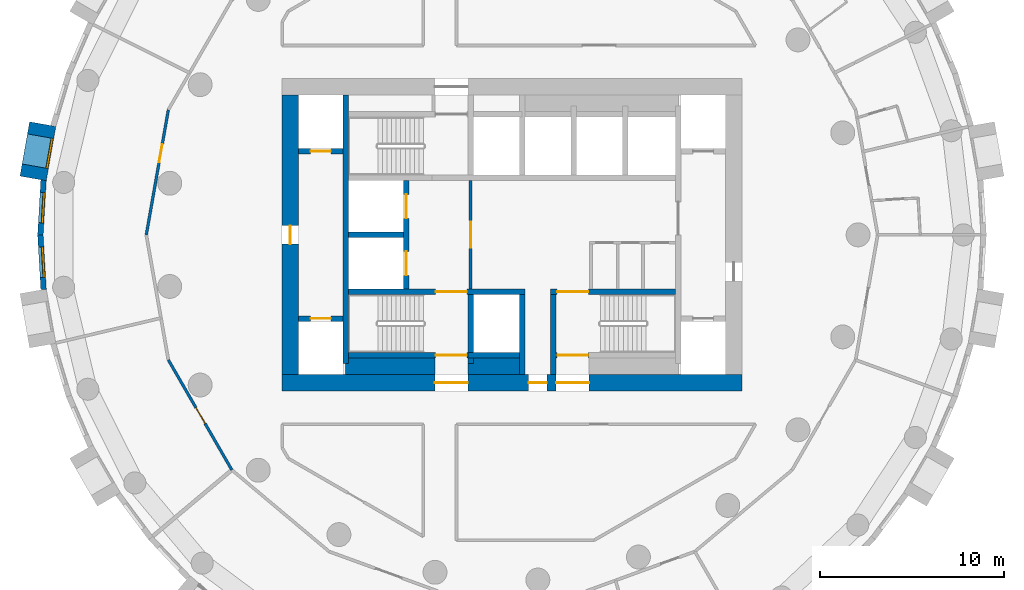
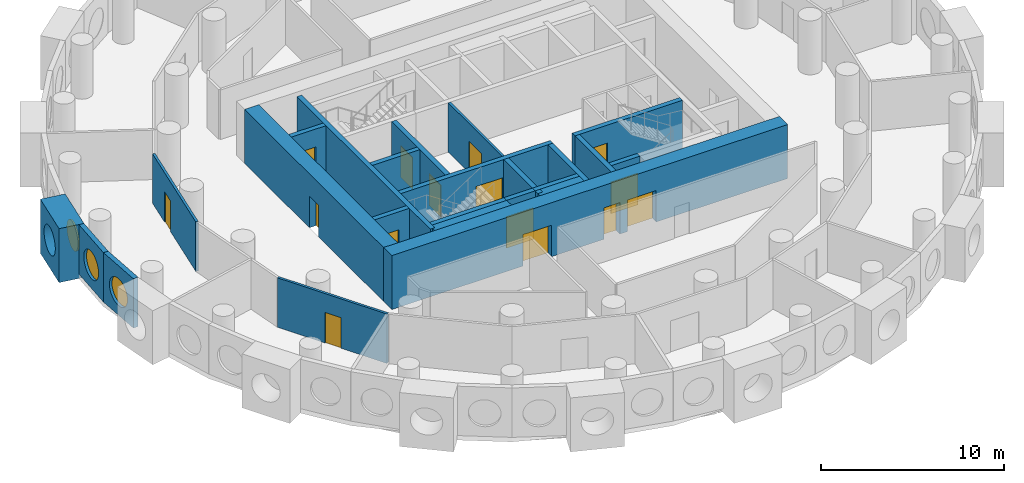
# One storey, part 3 of 9: 24 walls, 15 doors, 3 windows, 18 openings.
"""IFC4 building model written with IfcOpenShell, lengths in metres."""

from ifc_helpers import new_model, si_unit, direction, frame, frame_2d, origin, origin_2d, place, context, subcontext, project, spatial, rectangle, circle, extrude, material, layer, layer_set, type_object, element, fill, save


model = new_model("IFC4")

# Units and contexts
model_context = context("Model", 3, precision=1e-05, world=origin(), true_north=direction((0.0, 1.0)))
body_context = subcontext(model_context, "Body", "Model", "MODEL_VIEW")
ifc_project = project(units=[si_unit("LENGTHUNIT", "METRE"), si_unit("AREAUNIT", "SQUARE_METRE"), si_unit("VOLUMEUNIT", "CUBIC_METRE"), si_unit("PLANEANGLEUNIT", "RADIAN"), si_unit("MASSUNIT", "GRAM", prefix="KILO")], contexts=[model_context])

# Site, building, storey
site_placement = place(None, origin())
site = spatial("IfcSite", under=ifc_project, at=site_placement, CompositionType="ELEMENT")
building_placement = place(site_placement, origin())
building = spatial("IfcBuilding", under=site, at=building_placement, Name="Tracery Tower", CompositionType="ELEMENT")
storey_placement = place(building_placement, frame((0.0, 0.0, 165.60009765625)))
storey = spatial("IfcBuildingStorey", under=building, at=storey_placement, Name="L42", CompositionType="ELEMENT", Elevation=165.60009765625)

# Wall, opening, door
ifc_material_1 = material(Name="Plasterboard on steel studs", Category="steel")
ifc_layer_1 = layer(ifc_material_1, 0.14990234375)
ifc_layer_set_1 = layer_set([ifc_layer_1], Name="Core lobby partition 150")
wall_type_1 = type_object("IfcWallType", Name="Core lobby partition 150", PredefinedType="SOLIDWALL", material=ifc_layer_set_1)
wall_1_placement = place(storey_placement, frame((-2.25, -2.949951171875, 0.0), z_axis=(0.0, 0.0, 1.0), x_axis=(0.0, 1.0, 0.0)))
wall_1 = element("IfcWall", 1, at=wall_1_placement, inside=storey, type_object=wall_type_1, Name="L42 FF lobby E", PredefinedType="SOLIDWALL", context=body_context, shape_type="SweptSolid", body=[
    extrude(rectangle(XDim=5.89990234375, YDim=0.14990234375, at=frame_2d((2.949951171875, 0.0))), origin(), (0.0, 0.0, 1.0), 3.2998046875),
])
opening_1_placement = place(wall_1_placement, frame((2.25, 0.0, 0.0)))
opening_1 = element("IfcOpeningElement", 2, at=opening_1_placement, cuts=wall_1, Name="Opening KD8", PredefinedType="OPENING", context=body_context, shape_type="SweptSolid", body=[
    extrude(rectangle(XDim=1.39990234375, YDim=2.10009765625, at=frame_2d((0.699951171875, 1.050048828125))), frame((0.0, 0.074951171875, 0.0), z_axis=(0.0, -1.0, 0.0), x_axis=(1.0, 0.0, 0.0)), (0.0, 0.0, 1.0), 0.14990234375),
])
ifc_material_2 = material(Name="Steel fire door", Category="steel")
door_type_1 = type_object("IfcDoorType", Name="Core lobby door 1400 double", OperationType="NOTDEFINED", PredefinedType="DOOR", material=ifc_material_2)
door_1_placement = place(opening_1_placement, origin())
door_1 = element("IfcDoor", 3, at=door_1_placement, inside=storey, type_object=door_type_1, Name="Fire-fighting lobby door", OperationType="DOUBLE_DOOR_SINGLE_SWING", OverallHeight=2.10009765625, OverallWidth=1.39990234375, PredefinedType="DOOR", context=body_context, shape_type="SweptSolid", body=[
    extrude(rectangle(XDim=1.39990234375, YDim=2.10009765625, at=frame_2d((0.699951171875, 1.050048828125))), frame((0.0, 0.02490234375, 0.0), z_axis=(0.0, -1.0, 0.0), x_axis=(1.0, 0.0, 0.0)), (0.0, 0.0, 1.0), 0.050048828125),
])
fill(opening_1, door_1)

# Walls
ifc_material_3 = material(Name="Concrete C50/60", Category="concrete")
ifc_layer_2 = layer(ifc_material_3, 0.89990234375)
ifc_layer_set_2 = layer_set([ifc_layer_2], Name="Core strip wall 900 C50")
wall_type_2 = type_object("IfcWallType", Name="Core strip wall 900 C50", PredefinedType="SOLIDWALL", material=ifc_layer_set_2)
wall_2_placement = place(storey_placement, frame((-9.050048828125, -7.14990234375, 0.0), z_axis=(0.0, 0.0, 1.0), x_axis=(1.0, 0.0, 0.0)))
element("IfcWall", 4, at=wall_2_placement, inside=storey, type_object=wall_type_2, Name="L42 F thick S W", PredefinedType="SOLIDWALL", context=body_context, shape_type="SweptSolid", body=[
    extrude(rectangle(XDim=4.85009765625, YDim=0.89990234375, at=frame_2d((2.425048828125, 0.0))), origin(), (0.0, 0.0, 1.0), 3.2998046875),
])
wall_3_placement = place(storey_placement, frame((-2.39990234375, -7.14990234375, 0.0), z_axis=(0.0, 0.0, 1.0), x_axis=(1.0, 0.0, 0.0)))
element("IfcWall", 5, at=wall_3_placement, inside=storey, type_object=wall_type_2, Name="L42 F thick S mid", PredefinedType="SOLIDWALL", context=body_context, shape_type="SweptSolid", body=[
    extrude(rectangle(XDim=2.7998046875, YDim=0.89990234375, at=frame_2d((1.39990234375, 0.0))), origin(), (0.0, 0.0, 1.0), 3.2998046875),
])

# Wall, openings, doors
ifc_material_4 = material(Name="Concrete C50/60", Category="concrete")
ifc_layer_3 = layer(ifc_material_4, 0.89990234375)
ifc_layer_set_3 = layer_set([ifc_layer_3], Name="Core wall 900 C50")
wall_type_3 = type_object("IfcWallType", Name="Core wall 900 C50", PredefinedType="SOLIDWALL", material=ifc_layer_set_3)
wall_4_placement = place(storey_placement, frame((-12.5, -8.050048828125, 0.0), z_axis=(0.0, 0.0, 1.0), x_axis=(1.0, 0.0, 0.0)))
wall_4 = element("IfcWall", 6, at=wall_4_placement, inside=storey, type_object=wall_type_3, Name="L42 outer S", PredefinedType="SOLIDWALL", context=body_context, shape_type="SweptSolid", body=[
    extrude(rectangle(XDim=25.0, YDim=0.89990234375, at=frame_2d((12.5, 0.0))), origin(), (0.0, 0.0, 1.0), 3.599853515625),
])
opening_2_placement = place(wall_4_placement, frame((13.39990234375, 0.0, 0.0)))
opening_2 = element("IfcOpeningElement", 7, at=opening_2_placement, cuts=wall_4, Name="Opening KD16", PredefinedType="OPENING", context=body_context, shape_type="SweptSolid", body=[
    extrude(rectangle(XDim=1.0, YDim=2.10009765625, at=frame_2d((0.5, 1.050048828125))), frame((0.0, 0.449951171875, 0.0), z_axis=(0.0, -1.0, 0.0), x_axis=(1.0, 0.0, 0.0)), (0.0, 0.0, 1.0), 0.89990234375),
])
opening_3_placement = place(wall_4_placement, frame((8.300048828125, 0.0, 0.0)))
opening_3 = element("IfcOpeningElement", 8, at=opening_3_placement, cuts=wall_4, Name="Opening KD13", PredefinedType="OPENING", context=body_context, shape_type="SweptSolid", body=[
    extrude(rectangle(XDim=1.800048828125, YDim=2.10009765625, at=frame_2d((0.89990234375, 1.050048828125))), frame((0.0, 0.449951171875, 0.0), z_axis=(0.0, -1.0, 0.0), x_axis=(1.0, 0.0, 0.0)), (0.0, 0.0, 1.0), 0.89990234375),
])
opening_4_placement = place(wall_4_placement, frame((14.89990234375, 0.0, 0.0)))
opening_4 = element("IfcOpeningElement", 9, at=opening_4_placement, cuts=wall_4, Name="Opening KD13", PredefinedType="OPENING", context=body_context, shape_type="SweptSolid", body=[
    extrude(rectangle(XDim=1.800048828125, YDim=2.10009765625, at=frame_2d((0.89990234375, 1.050048828125))), frame((0.0, 0.449951171875, 0.0), z_axis=(0.0, -1.0, 0.0), x_axis=(1.0, 0.0, 0.0)), (0.0, 0.0, 1.0), 0.89990234375),
])
ifc_material_5 = material(Name="Steel fire door", Category="steel")
door_type_2 = type_object("IfcDoorType", Name="Core exit door 1000", OperationType="NOTDEFINED", PredefinedType="DOOR", material=ifc_material_5)
door_2_placement = place(opening_2_placement, origin())
door_2 = element("IfcDoor", 10, at=door_2_placement, inside=storey, type_object=door_type_2, Name="Core exit door", OperationType="SINGLE_SWING_LEFT", OverallHeight=2.10009765625, OverallWidth=1.0, PredefinedType="DOOR", context=body_context, shape_type="SweptSolid", body=[
    extrude(rectangle(XDim=1.0, YDim=2.10009765625, at=frame_2d((0.5, 1.050048828125))), frame((0.0, 0.02490234375, 0.0), z_axis=(0.0, -1.0, 0.0), x_axis=(1.0, 0.0, 0.0)), (0.0, 0.0, 1.0), 0.050048828125),
])
fill(opening_2, door_2)
ifc_material_6 = material(Name="Steel fire door", Category="steel")
door_type_3 = type_object("IfcDoorType", Name="Core exit door 1800 double", OperationType="NOTDEFINED", PredefinedType="DOOR", material=ifc_material_6)
door_3_placement = place(opening_3_placement, origin())
door_3 = element("IfcDoor", 11, at=door_3_placement, inside=storey, type_object=door_type_3, Name="Core exit door", OperationType="DOUBLE_DOOR_SINGLE_SWING", OverallHeight=2.10009765625, OverallWidth=1.800048828125, PredefinedType="DOOR", context=body_context, shape_type="SweptSolid", body=[
    extrude(rectangle(XDim=1.800048828125, YDim=2.10009765625, at=frame_2d((0.89990234375, 1.050048828125))), frame((0.0, 0.02490234375, 0.0), z_axis=(0.0, -1.0, 0.0), x_axis=(1.0, 0.0, 0.0)), (0.0, 0.0, 1.0), 0.050048828125),
])
fill(opening_3, door_3)
door_4_placement = place(opening_4_placement, origin())
door_4 = element("IfcDoor", 12, at=door_4_placement, inside=storey, type_object=door_type_3, Name="Core exit door", OperationType="DOUBLE_DOOR_SINGLE_SWING", OverallHeight=2.10009765625, OverallWidth=1.800048828125, PredefinedType="DOOR", context=body_context, shape_type="SweptSolid", body=[
    extrude(rectangle(XDim=1.800048828125, YDim=2.10009765625, at=frame_2d((0.89990234375, 1.050048828125))), frame((0.0, 0.02490234375, 0.0), z_axis=(0.0, -1.0, 0.0), x_axis=(1.0, 0.0, 0.0)), (0.0, 0.0, 1.0), 0.050048828125),
])
fill(opening_4, door_4)

# Wall, opening, door
wall_5_placement = place(storey_placement, frame((-12.050048828125, -7.60009765625, 0.0), z_axis=(0.0, 0.0, 1.0), x_axis=(0.0, 1.0, 0.0)))
wall_5 = element("IfcWall", 13, at=wall_5_placement, inside=storey, type_object=wall_type_3, Name="L42 outer W", PredefinedType="SOLIDWALL", context=body_context, shape_type="SweptSolid", body=[
    extrude(rectangle(XDim=15.2001953125, YDim=0.89990234375, at=frame_2d((7.60009765625, 0.0))), origin(), (0.0, 0.0, 1.0), 3.599853515625),
])
opening_5_placement = place(wall_5_placement, frame((7.10009765625, 0.0, 0.0)))
opening_5 = element("IfcOpeningElement", 14, at=opening_5_placement, cuts=wall_5, Name="Opening KD18", PredefinedType="OPENING", context=body_context, shape_type="SweptSolid", body=[
    extrude(rectangle(XDim=1.0, YDim=2.10009765625, at=frame_2d((0.5, 1.050048828125))), frame((0.0, 0.449951171875, 0.0), z_axis=(0.0, -1.0, 0.0), x_axis=(1.0, 0.0, 0.0)), (0.0, 0.0, 1.0), 0.89990234375),
])
door_5_placement = place(opening_5_placement, origin())
door_5 = element("IfcDoor", 15, at=door_5_placement, inside=storey, type_object=door_type_2, Name="Core exit door", OperationType="DOUBLE_DOOR_SINGLE_SWING", OverallHeight=2.10009765625, OverallWidth=1.0, PredefinedType="DOOR", context=body_context, shape_type="SweptSolid", body=[
    extrude(rectangle(XDim=1.0, YDim=2.10009765625, at=frame_2d((0.5, 1.050048828125))), frame((0.0, 0.02490234375, 0.0), z_axis=(0.0, -1.0, 0.0), x_axis=(1.0, 0.0, 0.0)), (0.0, 0.0, 1.0), 0.050048828125),
])
fill(opening_5, door_5)

# Wall, opening, window
ifc_material_7 = material(Name="Precast concrete C50/60", Category="concrete")
ifc_layer_4 = layer(ifc_material_7, 1.449951171875)
ifc_layer_set_4 = layer_set([ifc_layer_4], Name="Deep-set bay unit 3000 x 3600, slab edge 300")
wall_type_4 = type_object("IfcWallType", Name="Deep-set bay unit 3000 x 3600, slab edge 300", PredefinedType="ELEMENTEDWALL", material=ifc_layer_set_4)
wall_6_placement = place(storey_placement, frame((-25.520751953125, 6.023193359375, -0.300048828125), z_axis=(0.0, 0.0, 1.0), x_axis=(-0.173669267716, -0.984804034035, 0.0)))
wall_6 = element("IfcWall", 16, at=wall_6_placement, inside=storey, type_object=wall_type_4, Name="Deep-set bay unit 26 at L42", PredefinedType="ELEMENTEDWALL", context=body_context, shape_type="SweptSolid", body=[
    extrude(rectangle(XDim=3.0, YDim=1.449951171875, at=frame_2d((1.5, 0.0))), origin(), (0.0, 0.0, 1.0), 3.599853515625),
])
opening_6_placement = place(wall_6_placement, frame((1.5, 0.0, 1.85009765625)))
opening_6 = element("IfcOpeningElement", 17, at=opening_6_placement, cuts=wall_6, Name="Opening WN1", PredefinedType="OPENING", context=body_context, shape_type="SweptSolid", body=[
    extrude(circle(Radius=0.9000244140625, at=origin_2d()), frame((0.0, 0.73486328125, 0.0), z_axis=(0.0, -1.0, 0.0), x_axis=(1.0, 0.0, 0.0)), (0.0, 0.0, 1.0), 1.469970703125),
])
ifc_material_8 = material(Name="Aluminium frame with tinted double glazing", Category="aluminium")
window_type = type_object("IfcWindowType", Name="Round window 1800", PartitioningType="SINGLE_PANEL", PredefinedType="WINDOW", material=ifc_material_8)
window_1_placement = place(opening_6_placement, origin())
window_1 = element("IfcWindow", 18, at=window_1_placement, inside=storey, type_object=window_type, Name="Round window 26 at L42", OverallHeight=1.800048828125, OverallWidth=1.800048828125, PartitioningType="SINGLE_PANEL", PredefinedType="WINDOW", context=body_context, shape_type="SweptSolid", body=[
    extrude(circle(Radius=0.9000244140625, at=origin_2d()), frame((0.0, 0.69482421875, 0.0), z_axis=(0.0, -1.0, 0.0), x_axis=(1.0, 0.0, 0.0)), (0.0, 0.0, 1.0), 0.10009765625),
])
fill(opening_6, window_1)

ifc_material_9 = material(Name="Precast concrete C50/60", Category="concrete")
ifc_layer_5 = layer(ifc_material_9, 0.300048828125)
ifc_layer_set_5 = layer_set([ifc_layer_5], Name="Facade panel 3000 x 3300")
wall_type_5 = type_object("IfcWallType", Name="Facade panel 3000 x 3300", PredefinedType="SOLIDWALL", material=ifc_layer_set_5)
wall_7_placement = place(storey_placement, frame((-25.474609375, 2.9677734375, 0.0), z_axis=(0.0, 0.0, 1.0), x_axis=(-0.058144307138, -0.998308188661, 0.0)))
wall_7 = element("IfcWall", 19, at=wall_7_placement, inside=storey, type_object=wall_type_5, Name="Facade panel 27 at L42", PredefinedType="SOLIDWALL", context=body_context, shape_type="SweptSolid", body=[
    extrude(rectangle(XDim=2.972900390625, YDim=0.300048828125, at=frame_2d((1.486328125, 0.0))), origin(), (0.0, 0.0, 1.0), 3.2998046875),
])
opening_7_placement = place(wall_7_placement, frame((1.486328125, 0.0, 1.5498046875)))
opening_7 = element("IfcOpeningElement", 20, at=opening_7_placement, cuts=wall_7, Name="Opening WN1", PredefinedType="OPENING", context=body_context, shape_type="SweptSolid", body=[
    extrude(circle(Radius=0.9000244140625, at=origin_2d()), frame((0.0, 0.159912109375, 0.0), z_axis=(0.0, -1.0, 0.0), x_axis=(1.0, 0.0, 0.0)), (0.0, 0.0, 1.0), 0.320068359375),
])
window_2_placement = place(opening_7_placement, origin())
window_2 = element("IfcWindow", 21, at=window_2_placement, inside=storey, type_object=window_type, Name="Round window 27 at L42", OverallHeight=1.800048828125, OverallWidth=1.800048828125, PartitioningType="SINGLE_PANEL", PredefinedType="WINDOW", context=body_context, shape_type="SweptSolid", body=[
    extrude(circle(Radius=0.9000244140625, at=origin_2d()), frame((0.0, 0.1201171875, 0.0), z_axis=(0.0, -1.0, 0.0), x_axis=(1.0, 0.0, 0.0)), (0.0, 0.0, 1.0), 0.10009765625),
])
fill(opening_7, window_2)

wall_8_placement = place(storey_placement, frame((-25.6474609375, 0.0, 0.0), z_axis=(0.0, 0.0, 1.0), x_axis=(0.058144307138, -0.998308188661, 0.0)))
wall_8 = element("IfcWall", 22, at=wall_8_placement, inside=storey, type_object=wall_type_5, Name="Facade panel 28 at L42", PredefinedType="SOLIDWALL", context=body_context, shape_type="SweptSolid", body=[
    extrude(rectangle(XDim=2.972900390625, YDim=0.300048828125, at=frame_2d((1.486328125, 0.0))), origin(), (0.0, 0.0, 1.0), 3.2998046875),
])
opening_8_placement = place(wall_8_placement, frame((1.486328125, 0.0, 1.5498046875)))
opening_8 = element("IfcOpeningElement", 23, at=opening_8_placement, cuts=wall_8, Name="Opening WN1", PredefinedType="OPENING", context=body_context, shape_type="SweptSolid", body=[
    extrude(circle(Radius=0.9000244140625, at=origin_2d()), frame((0.0, 0.159912109375, 0.0), z_axis=(0.0, -1.0, 0.0), x_axis=(1.0, 0.0, 0.0)), (0.0, 0.0, 1.0), 0.320068359375),
])
window_3_placement = place(opening_8_placement, origin())
window_3 = element("IfcWindow", 24, at=window_3_placement, inside=storey, type_object=window_type, Name="Round window 28 at L42", OverallHeight=1.800048828125, OverallWidth=1.800048828125, PartitioningType="SINGLE_PANEL", PredefinedType="WINDOW", context=body_context, shape_type="SweptSolid", body=[
    extrude(circle(Radius=0.9000244140625, at=origin_2d()), frame((0.0, 0.1201171875, 0.0), z_axis=(0.0, -1.0, 0.0), x_axis=(1.0, 0.0, 0.0)), (0.0, 0.0, 1.0), 0.10009765625),
])
fill(opening_8, window_3)

# Wall, opening, door
ifc_material_10 = material(Name="Plasterboard on steel studs", Category="steel")
ifc_layer_6 = layer(ifc_material_10, 0.14990234375)
ifc_layer_set_6 = layer_set([ifc_layer_6], Name="Partition 150 corridor wall")
wall_type_6 = type_object("IfcWallType", Name="Partition 150 corridor wall", PredefinedType="PARTITIONING", material=ifc_layer_set_6)
wall_9_placement = place(storey_placement, frame((-19.887939453125, 0.0, 0.0), z_axis=(0.0, 0.0, 1.0), x_axis=(0.173728873845, 0.98479352069, 0.0)))
wall_9 = element("IfcWall", 25, at=wall_9_placement, inside=storey, type_object=wall_type_6, Name="Corridor wall RB4-028", PredefinedType="PARTITIONING", context=body_context, shape_type="SweptSolid", body=[
    extrude(rectangle(XDim=6.906982421875, YDim=0.14990234375, at=frame_2d((3.45361328125, 0.0))), origin(), (0.0, 0.0, 1.0), 3.2998046875),
])
opening_9_placement = place(wall_9_placement, frame((4.00390625, 0.0, 0.0)))
opening_9 = element("IfcOpeningElement", 26, at=opening_9_placement, cuts=wall_9, Name="Opening RB4-23", PredefinedType="OPENING", context=body_context, shape_type="SweptSolid", body=[
    extrude(rectangle(XDim=1.0, YDim=2.0400390625, at=frame_2d((0.5, 1.02001953125))), frame((0.0, 0.074951171875, 0.0), z_axis=(0.0, -1.0, 0.0), x_axis=(1.0, 0.0, 0.0)), (0.0, 0.0, 1.0), 0.14990234375),
])
ifc_material_11 = material(Name="Timber door leaf", Category="wood")
door_type_4 = type_object("IfcDoorType", Name="Door communal room 1000", OperationType="NOTDEFINED", PredefinedType="DOOR", material=ifc_material_11)
door_6_placement = place(opening_9_placement, origin())
door_6 = element("IfcDoor", 27, at=door_6_placement, inside=storey, type_object=door_type_4, Name="Communal room door RB4-23", OperationType="SINGLE_SWING_RIGHT", OverallHeight=2.0400390625, OverallWidth=1.0, PredefinedType="DOOR", context=body_context, shape_type="SweptSolid", body=[
    extrude(rectangle(XDim=1.0, YDim=2.0400390625, at=frame_2d((0.5, 1.02001953125))), frame((0.0, 0.02490234375, 0.0), z_axis=(0.0, -1.0, 0.0), x_axis=(1.0, 0.0, 0.0)), (0.0, 0.0, 1.0), 0.050048828125),
])
fill(opening_9, door_6)

wall_10_placement = place(storey_placement, frame((-18.68798828125, -6.802001953125, 0.0), z_axis=(0.0, 0.0, 1.0), x_axis=(0.499914202267, -0.866074933462, 0.0)))
wall_10 = element("IfcWall", 28, at=wall_10_placement, inside=storey, type_object=wall_type_6, Name="Corridor wall RB4-029", PredefinedType="PARTITIONING", context=body_context, shape_type="SweptSolid", body=[
    extrude(rectangle(XDim=6.906982421875, YDim=0.14990234375, at=frame_2d((3.45361328125, 0.0))), origin(), (0.0, 0.0, 1.0), 3.2998046875),
])
opening_10_placement = place(wall_10_placement, frame((3.003173828125, 0.0, 0.0)))
opening_10 = element("IfcOpeningElement", 29, at=opening_10_placement, cuts=wall_10, Name="Opening RB4-24", PredefinedType="OPENING", context=body_context, shape_type="SweptSolid", body=[
    extrude(rectangle(XDim=1.0, YDim=2.0400390625, at=frame_2d((0.5, 1.02001953125))), frame((0.0, 0.074951171875, 0.0), z_axis=(0.0, -1.0, 0.0), x_axis=(1.0, 0.0, 0.0)), (0.0, 0.0, 1.0), 0.14990234375),
])
door_7_placement = place(opening_10_placement, origin())
door_7 = element("IfcDoor", 30, at=door_7_placement, inside=storey, type_object=door_type_4, Name="Communal room door RB4-24", OperationType="SINGLE_SWING_LEFT", OverallHeight=2.0400390625, OverallWidth=1.0, PredefinedType="DOOR", context=body_context, shape_type="SweptSolid", body=[
    extrude(rectangle(XDim=1.0, YDim=2.0400390625, at=frame_2d((0.5, 1.02001953125))), frame((0.0, 0.02490234375, 0.0), z_axis=(0.0, -1.0, 0.0), x_axis=(1.0, 0.0, 0.0)), (0.0, 0.0, 1.0), 0.050048828125),
])
fill(opening_10, door_7)

# Wall
ifc_material_12 = material(Name="Concrete C50/60", Category="concrete")
ifc_layer_7 = layer(ifc_material_12, 0.300048828125)
ifc_layer_set_7 = layer_set([ifc_layer_7], Name="Shaft wall 300 C50")
wall_type_7 = type_object("IfcWallType", Name="Shaft wall 300 C50", PredefinedType="SOLIDWALL", material=ifc_layer_set_7)
wall_11_placement = place(storey_placement, frame((-8.89990234375, 0.0, 0.0), z_axis=(0.0, 0.0, 1.0), x_axis=(1.0, 0.0, 0.0)))
element("IfcWall", 31, at=wall_11_placement, inside=storey, type_object=wall_type_7, Name="L42 FF split", PredefinedType="SOLIDWALL", context=body_context, shape_type="SweptSolid", body=[
    extrude(rectangle(XDim=3.0, YDim=0.300048828125, at=frame_2d((1.5, 0.0))), origin(), (0.0, 0.0, 1.0), 3.2998046875),
])

# Wall, openings, doors
wall_12_placement = place(storey_placement, frame((-5.75, -2.949951171875, 0.0), z_axis=(0.0, 0.0, 1.0), x_axis=(0.0, 1.0, 0.0)))
wall_12 = element("IfcWall", 32, at=wall_12_placement, inside=storey, type_object=wall_type_7, Name="L42 FF doors", PredefinedType="SOLIDWALL", context=body_context, shape_type="SweptSolid", body=[
    extrude(rectangle(XDim=5.89990234375, YDim=0.300048828125, at=frame_2d((2.949951171875, 0.0))), origin(), (0.0, 0.0, 1.0), 3.2998046875),
])
opening_11_placement = place(wall_12_placement, frame((0.75, 0.0, 0.0)))
opening_11 = element("IfcOpeningElement", 33, at=opening_11_placement, cuts=wall_12, Name="Opening KD54", PredefinedType="OPENING", context=body_context, shape_type="SweptSolid", body=[
    extrude(rectangle(XDim=1.300048828125, YDim=2.10009765625, at=frame_2d((0.64990234375, 1.050048828125))), frame((0.0, 0.14990234375, 0.0), z_axis=(0.0, -1.0, 0.0), x_axis=(1.0, 0.0, 0.0)), (0.0, 0.0, 1.0), 0.300048828125),
])
opening_12_placement = place(wall_12_placement, frame((3.85009765625, 0.0, 0.0)))
opening_12 = element("IfcOpeningElement", 34, at=opening_12_placement, cuts=wall_12, Name="Opening KD55", PredefinedType="OPENING", context=body_context, shape_type="SweptSolid", body=[
    extrude(rectangle(XDim=1.300048828125, YDim=2.10009765625, at=frame_2d((0.64990234375, 1.050048828125))), frame((0.0, 0.14990234375, 0.0), z_axis=(0.0, -1.0, 0.0), x_axis=(1.0, 0.0, 0.0)), (0.0, 0.0, 1.0), 0.300048828125),
])
ifc_material_13 = material(Name="Steel fire door", Category="steel")
door_type_5 = type_object("IfcDoorType", Name="Landing door FF 1300", OperationType="NOTDEFINED", PredefinedType="DOOR", material=ifc_material_13)
door_8_placement = place(opening_11_placement, origin())
door_8 = element("IfcDoor", 35, at=door_8_placement, inside=storey, type_object=door_type_5, Name="Landing door FF1", OperationType="SLIDING_TO_LEFT", OverallHeight=2.10009765625, OverallWidth=1.300048828125, PredefinedType="DOOR", context=body_context, shape_type="SweptSolid", body=[
    extrude(rectangle(XDim=1.300048828125, YDim=2.10009765625, at=frame_2d((0.64990234375, 1.050048828125))), frame((0.0, 0.02490234375, 0.0), z_axis=(0.0, -1.0, 0.0), x_axis=(1.0, 0.0, 0.0)), (0.0, 0.0, 1.0), 0.050048828125),
])
fill(opening_11, door_8)
door_9_placement = place(opening_12_placement, origin())
door_9 = element("IfcDoor", 36, at=door_9_placement, inside=storey, type_object=door_type_5, Name="Landing door FF2", OperationType="SLIDING_TO_RIGHT", OverallHeight=2.10009765625, OverallWidth=1.300048828125, PredefinedType="DOOR", context=body_context, shape_type="SweptSolid", body=[
    extrude(rectangle(XDim=1.300048828125, YDim=2.10009765625, at=frame_2d((0.64990234375, 1.050048828125))), frame((0.0, 0.02490234375, 0.0), z_axis=(0.0, -1.0, 0.0), x_axis=(1.0, 0.0, 0.0)), (0.0, 0.0, 1.0), 0.050048828125),
])
fill(opening_12, door_9)

# Wall
wall_13_placement = place(storey_placement, frame((0.550048828125, -7.60009765625, 0.0), z_axis=(0.0, 0.0, 1.0), x_axis=(0.0, 1.0, 0.0)))
element("IfcWall", 37, at=wall_13_placement, inside=storey, type_object=wall_type_7, Name="L42 OB2 E", PredefinedType="SOLIDWALL", context=body_context, shape_type="SweptSolid", body=[
    extrude(rectangle(XDim=4.35009765625, YDim=0.300048828125, at=frame_2d((2.175048828125, 0.0))), origin(), (0.0, 0.0, 1.0), 3.2998046875),
])

# Wall, opening, door
wall_14_placement = place(storey_placement, frame((-11.60009765625, -4.550048828125, 0.0), z_axis=(0.0, 0.0, 1.0), x_axis=(1.0, 0.0, 0.0)))
wall_14 = element("IfcWall", 38, at=wall_14_placement, inside=storey, type_object=wall_type_7, Name="L42 MR W -4.55", PredefinedType="SOLIDWALL", context=body_context, shape_type="SweptSolid", body=[
    extrude(rectangle(XDim=2.400146484375, YDim=0.300048828125, at=frame_2d((1.2001953125, 0.0))), origin(), (0.0, 0.0, 1.0), 3.2998046875),
])
opening_13_placement = place(wall_14_placement, frame((0.64990234375, 0.0, 0.0)))
opening_13 = element("IfcOpeningElement", 39, at=opening_13_placement, cuts=wall_14, Name="Opening KD50", PredefinedType="OPENING", context=body_context, shape_type="SweptSolid", body=[
    extrude(rectangle(XDim=1.10009765625, YDim=2.10009765625, at=frame_2d((0.550048828125, 1.050048828125))), frame((0.0, 0.14990234375, 0.0), z_axis=(0.0, -1.0, 0.0), x_axis=(1.0, 0.0, 0.0)), (0.0, 0.0, 1.0), 0.300048828125),
])
ifc_material_14 = material(Name="Steel fire door", Category="steel")
door_type_6 = type_object("IfcDoorType", Name="Landing door 1100", OperationType="NOTDEFINED", PredefinedType="DOOR", material=ifc_material_14)
door_10_placement = place(opening_13_placement, origin())
door_10 = element("IfcDoor", 40, at=door_10_placement, inside=storey, type_object=door_type_6, Name="Landing door MR1", OperationType="SLIDING_TO_RIGHT", OverallHeight=2.10009765625, OverallWidth=1.10009765625, PredefinedType="DOOR", context=body_context, shape_type="SweptSolid", body=[
    extrude(rectangle(XDim=1.10009765625, YDim=2.10009765625, at=frame_2d((0.550048828125, 1.050048828125))), frame((0.0, 0.02490234375, 0.0), z_axis=(0.0, -1.0, 0.0), x_axis=(1.0, 0.0, 0.0)), (0.0, 0.0, 1.0), 0.050048828125),
])
fill(opening_13, door_10)

wall_15_placement = place(storey_placement, frame((-11.60009765625, 4.550048828125, 0.0), z_axis=(0.0, 0.0, 1.0), x_axis=(1.0, 0.0, 0.0)))
wall_15 = element("IfcWall", 41, at=wall_15_placement, inside=storey, type_object=wall_type_7, Name="L42 MR W +4.55", PredefinedType="SOLIDWALL", context=body_context, shape_type="SweptSolid", body=[
    extrude(rectangle(XDim=2.400146484375, YDim=0.300048828125, at=frame_2d((1.2001953125, 0.0))), origin(), (0.0, 0.0, 1.0), 3.2998046875),
])
opening_14_placement = place(wall_15_placement, frame((0.64990234375, 0.0, 0.0)))
opening_14 = element("IfcOpeningElement", 42, at=opening_14_placement, cuts=wall_15, Name="Opening KD49", PredefinedType="OPENING", context=body_context, shape_type="SweptSolid", body=[
    extrude(rectangle(XDim=1.10009765625, YDim=2.10009765625, at=frame_2d((0.550048828125, 1.050048828125))), frame((0.0, 0.14990234375, 0.0), z_axis=(0.0, -1.0, 0.0), x_axis=(1.0, 0.0, 0.0)), (0.0, 0.0, 1.0), 0.300048828125),
])
door_11_placement = place(opening_14_placement, origin())
door_11 = element("IfcDoor", 43, at=door_11_placement, inside=storey, type_object=door_type_6, Name="Landing door MR2", OperationType="SLIDING_TO_LEFT", OverallHeight=2.10009765625, OverallWidth=1.10009765625, PredefinedType="DOOR", context=body_context, shape_type="SweptSolid", body=[
    extrude(rectangle(XDim=1.10009765625, YDim=2.10009765625, at=frame_2d((0.550048828125, 1.050048828125))), frame((0.0, 0.02490234375, 0.0), z_axis=(0.0, -1.0, 0.0), x_axis=(1.0, 0.0, 0.0)), (0.0, 0.0, 1.0), 0.050048828125),
])
fill(opening_14, door_11)

ifc_material_15 = material(Name="Concrete C50/60", Category="concrete")
ifc_layer_8 = layer(ifc_material_15, 0.300048828125)
ifc_layer_set_8 = layer_set([ifc_layer_8], Name="Stair wall 300 C50")
wall_type_8 = type_object("IfcWallType", Name="Stair wall 300 C50", PredefinedType="SOLIDWALL", material=ifc_layer_set_8)
wall_16_placement = place(storey_placement, frame((-8.89990234375, -3.10009765625, 0.0), z_axis=(0.0, 0.0, 1.0), x_axis=(1.0, 0.0, 0.0)))
wall_16 = element("IfcWall", 44, at=wall_16_placement, inside=storey, type_object=wall_type_8, Name="L42 row S", PredefinedType="SOLIDWALL", context=body_context, shape_type="SweptSolid", body=[
    extrude(rectangle(XDim=9.599853515625, YDim=0.300048828125, at=frame_2d((4.7998046875, 0.0))), origin(), (0.0, 0.0, 1.0), 3.2998046875),
])
opening_15_placement = place(wall_16_placement, frame((4.75, 0.0, 0.0)))
opening_15 = element("IfcOpeningElement", 45, at=opening_15_placement, cuts=wall_16, Name="Opening KD3", PredefinedType="OPENING", context=body_context, shape_type="SweptSolid", body=[
    extrude(rectangle(XDim=1.699951171875, YDim=2.10009765625, at=frame_2d((0.85009765625, 1.050048828125))), frame((0.0, 0.14990234375, 0.0), z_axis=(0.0, -1.0, 0.0), x_axis=(1.0, 0.0, 0.0)), (0.0, 0.0, 1.0), 0.300048828125),
])
ifc_material_16 = material(Name="Steel fire door", Category="steel")
door_type_7 = type_object("IfcDoorType", Name="Core stair door 1700 double", OperationType="NOTDEFINED", PredefinedType="DOOR", material=ifc_material_16)
door_12_placement = place(opening_15_placement, origin())
door_12 = element("IfcDoor", 46, at=door_12_placement, inside=storey, type_object=door_type_7, Name="Stair door ST1", OperationType="DOUBLE_DOOR_SINGLE_SWING", OverallHeight=2.10009765625, OverallWidth=1.699951171875, PredefinedType="DOOR", context=body_context, shape_type="SweptSolid", body=[
    extrude(rectangle(XDim=1.699951171875, YDim=2.10009765625, at=frame_2d((0.85009765625, 1.050048828125))), frame((0.0, 0.02490234375, 0.0), z_axis=(0.0, -1.0, 0.0), x_axis=(1.0, 0.0, 0.0)), (0.0, 0.0, 1.0), 0.050048828125),
])
fill(opening_15, door_12)

wall_17_placement = place(storey_placement, frame((2.10009765625, -3.10009765625, 0.0), z_axis=(0.0, 0.0, 1.0), x_axis=(1.0, 0.0, 0.0)))
wall_17 = element("IfcWall", 47, at=wall_17_placement, inside=storey, type_object=wall_type_8, Name="L42 row S E", PredefinedType="SOLIDWALL", context=body_context, shape_type="SweptSolid", body=[
    extrude(rectangle(XDim=6.7998046875, YDim=0.300048828125, at=frame_2d((3.39990234375, 0.0))), origin(), (0.0, 0.0, 1.0), 3.2998046875),
])
opening_16_placement = place(wall_17_placement, frame((0.35009765625, 0.0, 0.0)))
opening_16 = element("IfcOpeningElement", 48, at=opening_16_placement, cuts=wall_17, Name="Opening KD3", PredefinedType="OPENING", context=body_context, shape_type="SweptSolid", body=[
    extrude(rectangle(XDim=1.699951171875, YDim=2.10009765625, at=frame_2d((0.85009765625, 1.050048828125))), frame((0.0, 0.14990234375, 0.0), z_axis=(0.0, -1.0, 0.0), x_axis=(1.0, 0.0, 0.0)), (0.0, 0.0, 1.0), 0.300048828125),
])
door_13_placement = place(opening_16_placement, origin())
door_13 = element("IfcDoor", 49, at=door_13_placement, inside=storey, type_object=door_type_7, Name="Stair door ST2", OperationType="DOUBLE_DOOR_SINGLE_SWING", OverallHeight=2.10009765625, OverallWidth=1.699951171875, PredefinedType="DOOR", context=body_context, shape_type="SweptSolid", body=[
    extrude(rectangle(XDim=1.699951171875, YDim=2.10009765625, at=frame_2d((0.85009765625, 1.050048828125))), frame((0.0, 0.02490234375, 0.0), z_axis=(0.0, -1.0, 0.0), x_axis=(1.0, 0.0, 0.0)), (0.0, 0.0, 1.0), 0.050048828125),
])
fill(opening_16, door_13)

# Walls
wall_18_placement = place(storey_placement, frame((-2.25, -7.0, 0.0), z_axis=(0.0, 0.0, 1.0), x_axis=(0.0, 1.0, 0.0)))
element("IfcWall", 50, at=wall_18_placement, inside=storey, type_object=wall_type_8, Name="L42 ST1 E", PredefinedType="SOLIDWALL", context=body_context, shape_type="SweptSolid", body=[
    extrude(rectangle(XDim=3.75, YDim=0.300048828125, at=frame_2d((1.875, 0.0))), origin(), (0.0, 0.0, 1.0), 3.2998046875),
])
wall_19_placement = place(storey_placement, frame((2.25, -7.60009765625, 0.0), z_axis=(0.0, 0.0, 1.0), x_axis=(0.0, 1.0, 0.0)))
element("IfcWall", 51, at=wall_19_placement, inside=storey, type_object=wall_type_8, Name="L42 ST2 W", PredefinedType="SOLIDWALL", context=body_context, shape_type="SweptSolid", body=[
    extrude(rectangle(XDim=4.35009765625, YDim=0.300048828125, at=frame_2d((2.175048828125, 0.0))), origin(), (0.0, 0.0, 1.0), 3.2998046875),
])
wall_20_placement = place(storey_placement, frame((-9.050048828125, -7.0, 0.0), z_axis=(0.0, 0.0, 1.0), x_axis=(0.0, 1.0, 0.0)))
element("IfcWall", 52, at=wall_20_placement, inside=storey, type_object=wall_type_8, Name="L42 F wall -9", PredefinedType="SOLIDWALL", context=body_context, shape_type="SweptSolid", body=[
    extrude(rectangle(XDim=14.60009765625, YDim=0.300048828125, at=frame_2d((7.300048828125, 0.0))), origin(), (0.0, 0.0, 1.0), 3.2998046875),
])
wall_21_placement = place(storey_placement, frame((-8.89990234375, -6.550048828125, 0.0), z_axis=(0.0, 0.0, 1.0), x_axis=(1.0, 0.0, 0.0)))
element("IfcWall", 53, at=wall_21_placement, inside=storey, type_object=wall_type_8, Name="L42 F stair strip S W", PredefinedType="SOLIDWALL", context=body_context, shape_type="SweptSolid", body=[
    extrude(rectangle(XDim=4.699951171875, YDim=0.300048828125, at=frame_2d((2.35009765625, 0.0))), origin(), (0.0, 0.0, 1.0), 3.2998046875),
])
wall_22_placement = place(storey_placement, frame((-2.39990234375, -6.550048828125, 0.0), z_axis=(0.0, 0.0, 1.0), x_axis=(1.0, 0.0, 0.0)))
element("IfcWall", 54, at=wall_22_placement, inside=storey, type_object=wall_type_8, Name="L42 F stair strip S mid", PredefinedType="SOLIDWALL", context=body_context, shape_type="SweptSolid", body=[
    extrude(rectangle(XDim=2.7998046875, YDim=0.300048828125, at=frame_2d((1.39990234375, 0.0))), origin(), (0.0, 0.0, 1.0), 3.2998046875),
])

# Wall, opening, door
wall_23_placement = place(storey_placement, frame((-4.199951171875, -6.550048828125, 0.0), z_axis=(0.0, 0.0, 1.0), x_axis=(1.0, 0.0, 0.0)))
wall_23 = element("IfcWall", 55, at=wall_23_placement, inside=storey, type_object=wall_type_8, Name="L42 F stair S W", PredefinedType="SOLIDWALL", context=body_context, shape_type="SweptSolid", body=[
    extrude(rectangle(XDim=1.800048828125, YDim=0.300048828125, at=frame_2d((0.89990234375, 0.0))), origin(), (0.0, 0.0, 1.0), 3.2998046875),
])
opening_17_placement = place(wall_23_placement, frame((0.050048828125, 0.0, 0.0)))
opening_17 = element("IfcOpeningElement", 56, at=opening_17_placement, cuts=wall_23, Name="Opening KD3", PredefinedType="OPENING", context=body_context, shape_type="SweptSolid", body=[
    extrude(rectangle(XDim=1.699951171875, YDim=2.10009765625, at=frame_2d((0.85009765625, 1.050048828125))), frame((0.0, 0.14990234375, 0.0), z_axis=(0.0, -1.0, 0.0), x_axis=(1.0, 0.0, 0.0)), (0.0, 0.0, 1.0), 0.300048828125),
])
door_14_placement = place(opening_17_placement, origin())
door_14 = element("IfcDoor", 57, at=door_14_placement, inside=storey, type_object=door_type_7, Name="Stair door vest", OperationType="DOUBLE_DOOR_SINGLE_SWING", OverallHeight=2.10009765625, OverallWidth=1.699951171875, PredefinedType="DOOR", context=body_context, shape_type="SweptSolid", body=[
    extrude(rectangle(XDim=1.699951171875, YDim=2.10009765625, at=frame_2d((0.85009765625, 1.050048828125))), frame((0.0, 0.02490234375, 0.0), z_axis=(0.0, -1.0, 0.0), x_axis=(1.0, 0.0, 0.0)), (0.0, 0.0, 1.0), 0.050048828125),
])
fill(opening_17, door_14)

wall_24_placement = place(storey_placement, frame((2.39990234375, -6.550048828125, 0.0), z_axis=(0.0, 0.0, 1.0), x_axis=(1.0, 0.0, 0.0)))
wall_24 = element("IfcWall", 58, at=wall_24_placement, inside=storey, type_object=wall_type_8, Name="L42 F stair S E", PredefinedType="SOLIDWALL", context=body_context, shape_type="SweptSolid", body=[
    extrude(rectangle(XDim=1.800048828125, YDim=0.300048828125, at=frame_2d((0.89990234375, 0.0))), origin(), (0.0, 0.0, 1.0), 3.2998046875),
])
opening_18_placement = place(wall_24_placement, frame((0.050048828125, 0.0, 0.0)))
opening_18 = element("IfcOpeningElement", 59, at=opening_18_placement, cuts=wall_24, Name="Opening KD3", PredefinedType="OPENING", context=body_context, shape_type="SweptSolid", body=[
    extrude(rectangle(XDim=1.699951171875, YDim=2.10009765625, at=frame_2d((0.85009765625, 1.050048828125))), frame((0.0, 0.14990234375, 0.0), z_axis=(0.0, -1.0, 0.0), x_axis=(1.0, 0.0, 0.0)), (0.0, 0.0, 1.0), 0.300048828125),
])
door_15_placement = place(opening_18_placement, origin())
door_15 = element("IfcDoor", 60, at=door_15_placement, inside=storey, type_object=door_type_7, Name="Stair door vest", OperationType="DOUBLE_DOOR_SINGLE_SWING", OverallHeight=2.10009765625, OverallWidth=1.699951171875, PredefinedType="DOOR", context=body_context, shape_type="SweptSolid", body=[
    extrude(rectangle(XDim=1.699951171875, YDim=2.10009765625, at=frame_2d((0.85009765625, 1.050048828125))), frame((0.0, 0.02490234375, 0.0), z_axis=(0.0, -1.0, 0.0), x_axis=(1.0, 0.0, 0.0)), (0.0, 0.0, 1.0), 0.050048828125),
])
fill(opening_18, door_15)

save(model, "model.ifc")
